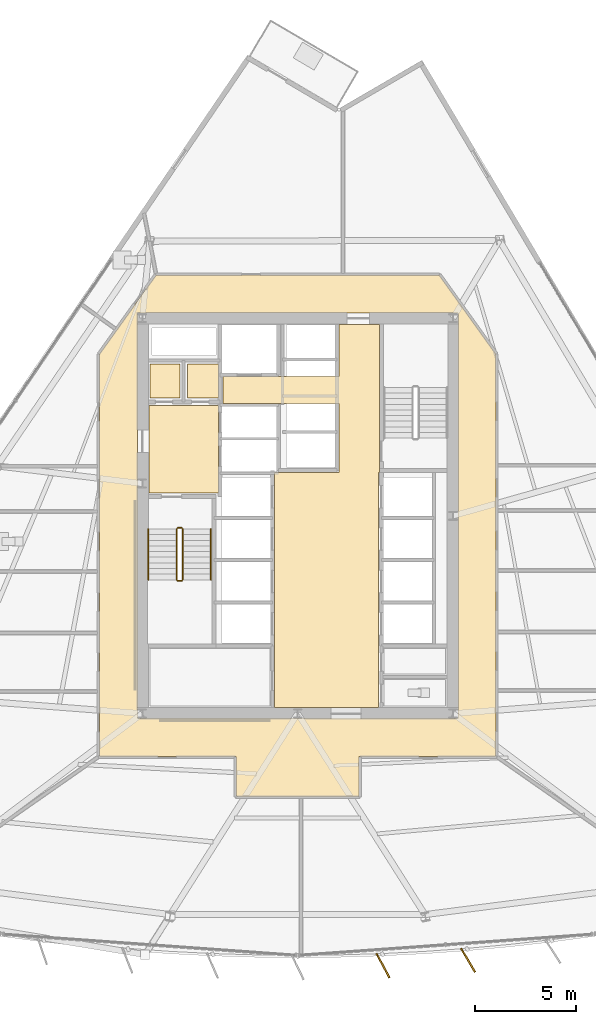
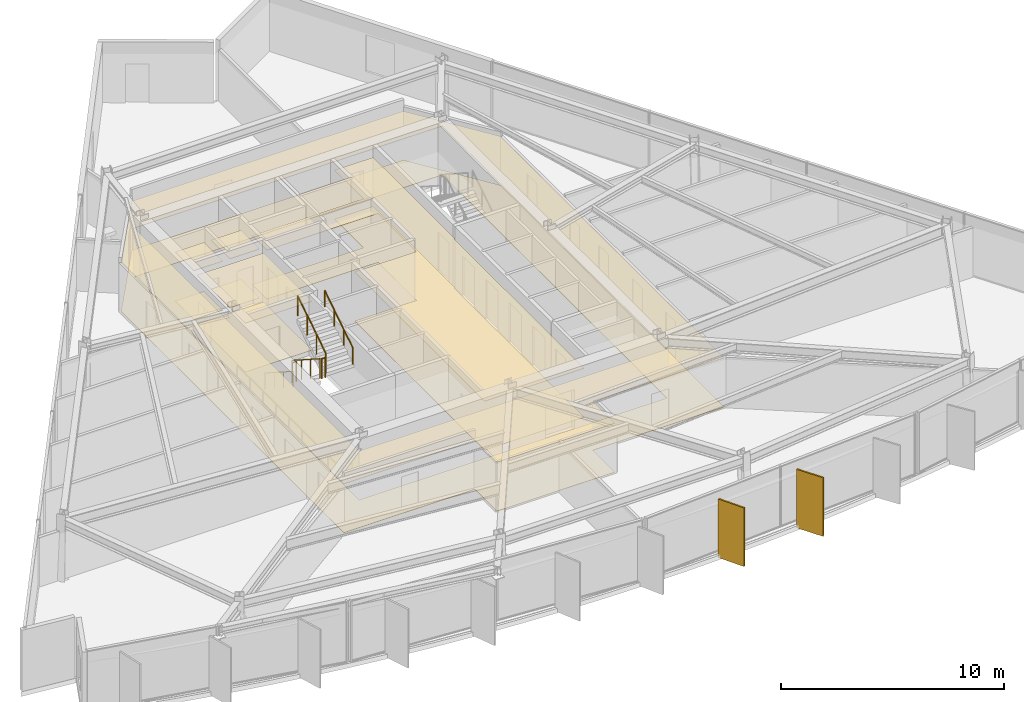
# One storey, part 12 of 15: 10 coverings, 6 railings, 2 shading devices.
"""IFC4 building model written with IfcOpenShell, lengths in metres."""

import ifcopenshell
import ifcopenshell.guid

model = None  # the IFC model being written
_history = None  # IfcOwnerHistory: only IFC2X3 demands one
_inside = {}  # id of a spatial element -> (the spatial element, [elements in it])
_under = {}  # id of a project, library or spatial element -> (it, [spatial elements below it])
_declared = {}  # id of a project -> (the project, [libraries it declares])
_typed = {}  # id of a type object -> (the type object, [elements of that type])
_made_of = {}  # id of a material, layer set ... -> (it, [elements and type objects made of it])


def new_model(schema):
    """Start an empty IFC model of exactly this schema.

    Asked for "IFC4X3", IfcOpenShell would pick the latest addendum, in which some entities
    have other attributes; the version numbers below select the first issue.
    IFC2X3 requires an IfcOwnerHistory on every rooted entity: one is made here for all.
    """
    global model, _history
    if schema == "IFC4X3":
        model = ifcopenshell.file(schema_version=(4, 3, 0, 0))
    else:
        model = ifcopenshell.file(schema=schema)
    _inside.clear()
    _under.clear()
    _declared.clear()
    _typed.clear()
    _made_of.clear()
    _history = None
    if model.schema == "IFC2X3":
        org = make("IfcOrganization", Name="unknown")
        user = make(
            "IfcPersonAndOrganization",
            ThePerson=make("IfcPerson", FamilyName="unknown"),
            TheOrganization=org,
        )
        app = make(
            "IfcApplication",
            ApplicationDeveloper=org,
            Version="unknown",
            ApplicationFullName="unknown",
            ApplicationIdentifier="unknown",
        )
        _history = make(
            "IfcOwnerHistory",
            OwningUser=user,
            OwningApplication=app,
            ChangeAction="ADDED",
            CreationDate=0,
        )
    return model


def make(cls, **values):
    """One entity of the class cls with the attributes given. An attribute that is None is left unset."""
    return model.create_entity(
        cls, **{name: value for name, value in values.items() if value is not None}
    )


def rooted(cls, **values):
    """An entity with a GlobalId (a new one), such as an element, a storey or a relation."""
    return make(cls, GlobalId=ifcopenshell.guid.new(), OwnerHistory=_history, **values)


def si_unit(unit_type, name, prefix=None):
    """IfcSIUnit, for example si_unit("LENGTHUNIT", "METRE", prefix="MILLI")."""
    return make("IfcSIUnit", UnitType=unit_type, Prefix=prefix, Name=name)


def assignment(units):
    """IfcUnitAssignment: the units of a project."""
    return None if units is None else make("IfcUnitAssignment", Units=units)


def point(xyz):
    """IfcCartesianPoint."""
    return None if xyz is None else make("IfcCartesianPoint", Coordinates=xyz)


def direction(xyz):
    """IfcDirection."""
    return None if xyz is None else make("IfcDirection", DirectionRatios=xyz)


def frame(location, z_axis=None, x_axis=None):
    """IfcAxis2Placement3D, a coordinate frame: its origin and axes. An axis left out is left unset."""
    return make(
        "IfcAxis2Placement3D",
        Location=point(location),
        Axis=direction(z_axis),
        RefDirection=direction(x_axis),
    )


def frame_2d(location, x_axis=None):
    """IfcAxis2Placement2D, a coordinate frame in the plane: its origin and x axis."""
    return make(
        "IfcAxis2Placement2D", Location=point(location), RefDirection=direction(x_axis)
    )


def origin():
    """The frame at (0, 0, 0) with its axes left unset."""
    return frame((0.0, 0.0, 0.0))


def origin_2d():
    """The frame at (0, 0) in the plane with its x axis left unset."""
    return frame_2d((0.0, 0.0))


def place(relative_to, where):
    """IfcLocalPlacement: puts the frame where relative to a parent placement (None: the world)."""
    return make(
        "IfcLocalPlacement", PlacementRelTo=relative_to, RelativePlacement=where
    )


def context(
    kind, dimensions, precision=None, world=None, true_north=None, identifier=None
):
    """IfcGeometricRepresentationContext, for example the 3D "Model" context."""
    return make(
        "IfcGeometricRepresentationContext",
        ContextIdentifier=identifier,
        ContextType=kind,
        CoordinateSpaceDimension=dimensions,
        Precision=precision,
        WorldCoordinateSystem=world,
        TrueNorth=true_north,
    )


def subcontext(parent, identifier, kind, view, scale=None):
    """IfcGeometricRepresentationSubContext, for example "Body" below "Model"."""
    return make(
        "IfcGeometricRepresentationSubContext",
        ContextIdentifier=identifier,
        ContextType=kind,
        ParentContext=parent,
        TargetScale=scale,
        TargetView=view,
    )


def project(units=None, contexts=None):
    """IfcProject with its units and contexts."""
    return rooted(
        "IfcProject",
        Name="project",
        RepresentationContexts=contexts,
        UnitsInContext=assignment(units),
    )


def spatial(cls, under=None, at=None, **own):
    """A site, building, storey or space (cls), placed at a placement, below another one or the project."""
    s = rooted(cls, ObjectPlacement=at, **own)
    if under is not None:
        _under.setdefault(under.id(), (under, []))[1].append(s)
    return s


def polyline(points):
    """IfcPolyline through the points."""
    return make("IfcPolyline", Points=[point(p) for p in points])


def profile(cls, at=None, kind="AREA", **sizes):
    """A parametric profile (cls). Its sizes go by their IFC names, for example OverallWidth=200.0."""
    return make(cls, ProfileType=kind, Position=at, **sizes)


def rectangle(**sizes):
    """IfcRectangleProfileDef."""
    return profile("IfcRectangleProfileDef", **sizes)


def circle(**sizes):
    """IfcCircleProfileDef."""
    return profile("IfcCircleProfileDef", **sizes)


def outline(outer, holes=None, kind="AREA"):
    """IfcArbitraryClosedProfileDef: a profile drawn as a closed curve; with holes, ...WithVoids."""
    if holes is None:
        return make("IfcArbitraryClosedProfileDef", ProfileType=kind, OuterCurve=outer)
    return make(
        "IfcArbitraryProfileDefWithVoids",
        ProfileType=kind,
        OuterCurve=outer,
        InnerCurves=holes,
    )


def extrude(swept, where, along, depth):
    """IfcExtrudedAreaSolid: the profile swept, set in the frame where, extruded along a direction by depth."""
    return make(
        "IfcExtrudedAreaSolid",
        SweptArea=swept,
        Position=where,
        ExtrudedDirection=direction(along),
        Depth=depth,
    )


def shape(context_of_items, identifier, shape_type, items):
    """IfcShapeRepresentation: the items that make up one representation, for example the "Body"."""
    return make(
        "IfcShapeRepresentation",
        ContextOfItems=context_of_items,
        RepresentationIdentifier=identifier,
        RepresentationType=shape_type,
        Items=items,
    )


def material(Name=None, Category=None):
    """IfcMaterial."""
    return make("IfcMaterial", Name=Name, Category=Category)


def layer(
    of_material, thickness, ventilated=None, Name=None, Category=None, Priority=None
):
    """IfcMaterialLayer: one layer of a wall or slab, of a material (None: an air gap)."""
    return make(
        "IfcMaterialLayer",
        Material=of_material,
        LayerThickness=thickness,
        IsVentilated=ventilated,
        Name=Name,
        Category=Category,
        Priority=Priority,
    )


def layer_set(layers, Name=None):
    """IfcMaterialLayerSet."""
    return make("IfcMaterialLayerSet", MaterialLayers=layers, LayerSetName=Name)


def made_of(thing, what):
    """Note that an element or type object is made of a material, layer set ...; save() writes the relation."""
    if what is not None:
        _made_of.setdefault(what.id(), (what, []))[1].append(thing)
    return thing


def type_object(cls, material=None, **own):
    """A type object (cls), such as IfcWallType, which elements share."""
    return made_of(rooted(cls, **own), material)


def element(
    cls,
    number,
    at=None,
    inside=None,
    cuts=None,
    type_object=None,
    material=None,
    context=None,
    identifier="Body",
    shape_type=None,
    held_by="IfcProductDefinitionShape",
    body=None,
    shapes=None,
    **own,
):
    """One element of the class cls, such as IfcWall. Its Tag is "e" and its number.

    at: its placement. inside: the storey or other place that contains it. cuts: it is an
    opening in that element (IfcRelVoidsElement). A single representation is given by context,
    identifier, shape_type and body (its items); several are given by shapes. held_by: the class
    of the entity that holds the representations. save() writes the other relations.
    """
    e = rooted(cls, Tag="e%d" % number, ObjectPlacement=at, **own)
    if body is not None:
        shapes = [shape(context, identifier, shape_type, body)]
    if shapes is not None:
        e.Representation = make(held_by, Representations=shapes)
    if inside is not None:
        _inside.setdefault(inside.id(), (inside, []))[1].append(e)
    if cuts is not None:
        rooted(
            "IfcRelVoidsElement", RelatingBuildingElement=cuts, RelatedOpeningElement=e
        )
    if type_object is not None:
        _typed.setdefault(type_object.id(), (type_object, []))[1].append(e)
    return made_of(e, material)


def aggregate(whole, parts):
    """IfcRelAggregates: a whole, such as a stair, and the parts it consists of."""
    return rooted("IfcRelAggregates", RelatingObject=whole, RelatedObjects=parts)


def save(model, path):
    """Write the relations noted so far, then the file.

    IfcRelAggregates (storeys below a building ...), IfcRelContainedInSpatialStructure (elements
    in a storey), IfcRelDefinesByType, IfcRelAssociatesMaterial and IfcRelDeclares: one each for
    every whole, place, type object, material and project.
    """
    for whole, parts in _under.values():
        aggregate(whole, parts)
    for where, things in _inside.values():
        rooted(
            "IfcRelContainedInSpatialStructure",
            RelatedElements=things,
            RelatingStructure=where,
        )
    for kind, things in _typed.values():
        rooted("IfcRelDefinesByType", RelatedObjects=things, RelatingType=kind)
    for what, things in _made_of.values():
        rooted("IfcRelAssociatesMaterial", RelatedObjects=things, RelatingMaterial=what)
    for by, libraries in _declared.values():
        rooted("IfcRelDeclares", RelatingContext=by, RelatedDefinitions=libraries)
    model.write(path)


model = new_model("IFC4")

# Units and contexts
model_context = context("Model", 3, precision=1e-05, world=origin(), true_north=direction((0.0, 1.0)))
body_context = subcontext(model_context, "Body", "Model", "MODEL_VIEW")
ifc_project = project(units=[si_unit("LENGTHUNIT", "METRE"), si_unit("AREAUNIT", "SQUARE_METRE"), si_unit("VOLUMEUNIT", "CUBIC_METRE"), si_unit("PLANEANGLEUNIT", "RADIAN"), si_unit("MASSUNIT", "GRAM", prefix="KILO")], contexts=[model_context])

# Site, building, storey
site_placement = place(None, origin())
site = spatial("IfcSite", under=ifc_project, at=site_placement, CompositionType="ELEMENT")
building_placement = place(site_placement, origin())
building = spatial("IfcBuilding", under=site, at=building_placement, Name="Savorim Split Tower", CompositionType="ELEMENT")
storey_placement = place(building_placement, frame((0.0, 0.0, 100.5)))
storey = spatial("IfcBuildingStorey", under=building, at=storey_placement, Name="L26", CompositionType="ELEMENT", Elevation=100.5)

# Coverings
ifc_material_1 = material(Name="Mineral Fibre Acoustic Ceiling")
ifc_layer_1 = layer(ifc_material_1, 0.02490234375)
ifc_layer_set_1 = layer_set([ifc_layer_1], Name="COV-CEIL-25")
covering_type_1 = type_object("IfcCoveringType", Name="COV-CEIL-25", PredefinedType="CEILING", material=ifc_layer_set_1)
covering_1_placement = place(storey_placement, frame((0.0, 0.0, 2.669921875)))
element("IfcCovering", 1, at=covering_1_placement, inside=storey, type_object=covering_type_1, Name="L26 Firefighting Lift Lobby Acoustic Ceiling", PredefinedType="CEILING", context=body_context, shape_type="SweptSolid", body=[
    extrude(outline(polyline([(-7.3798828125, 5.8701171875), (-7.3798828125, 1.530029296875), (-3.929931640625, 1.530029296875), (-3.929931640625, 5.8701171875), (-7.3798828125, 5.8701171875)])), origin(), (0.0, 0.0, 1.0), 0.025146484375),
])
covering_2_placement = place(storey_placement, frame((0.0, 0.0, 2.669921875)))
element("IfcCovering", 2, at=covering_2_placement, inside=storey, type_object=covering_type_1, Name="L26 Electrical Riser Acoustic Ceiling", PredefinedType="CEILING", context=body_context, shape_type="SweptSolid", body=[
    extrude(outline(polyline([(-7.320068359375, 7.919921875), (-7.320068359375, 6.22998046875), (-5.830078125, 6.22998046875), (-5.830078125, 7.919921875), (-7.320068359375, 7.919921875)])), origin(), (0.0, 0.0, 1.0), 0.025146484375),
])
covering_3_placement = place(storey_placement, frame((0.0, 0.0, 2.669921875)))
element("IfcCovering", 3, at=covering_3_placement, inside=storey, type_object=covering_type_1, Name="L26 Telecom Riser Acoustic Ceiling", PredefinedType="CEILING", context=body_context, shape_type="SweptSolid", body=[
    extrude(outline(polyline([(-5.469970703125, 7.919921875), (-5.469970703125, 6.22998046875), (-3.929931640625, 6.22998046875), (-3.929931640625, 7.919921875), (-5.469970703125, 7.919921875)])), origin(), (0.0, 0.0, 1.0), 0.025146484375),
])
covering_4_placement = place(storey_placement, frame((0.0, 0.0, 2.669921875)))
element("IfcCovering", 4, at=covering_4_placement, inside=storey, type_object=covering_type_1, Name="L26 Lift Lobby Acoustic Ceiling", PredefinedType="CEILING", context=body_context, shape_type="SweptSolid", body=[
    extrude(outline(polyline([(2.050048828125, 2.550048828125), (-1.14990234375, 2.550048828125), (-1.14990234375, -9.10009765625), (4.0, -9.10009765625), (4.0, 2.550048828125), (4.050048828125, 2.550048828125), (4.050048828125, 5.97998046875), (4.050048828125, 7.300048828125), (4.050048828125, 9.8798828125), (2.050048828125, 9.8798828125), (2.050048828125, 7.300048828125), (-3.699951171875, 7.300048828125), (-3.699951171875, 5.97998046875), (2.050048828125, 5.97998046875), (2.050048828125, 2.550048828125)])), origin(), (0.0, 0.0, 1.0), 0.025146484375),
])
covering_5_placement = place(storey_placement, frame((0.0, 0.0, 2.669921875)))
element("IfcCovering", 5, at=covering_5_placement, inside=storey, type_object=covering_type_1, Name="L26 Corridor Acoustic Ceiling", PredefinedType="CEILING", context=body_context, shape_type="SweptSolid", body=[
    extrude(outline(polyline([(7.009521484375, 12.3291015625), (7.004638671875, 12.329833984375), (7.0, 12.330078125), (-7.0, 12.330078125), (-7.004638671875, 12.329833984375), (-7.009521484375, 12.3291015625), (-7.013916015625, 12.327880859375), (-7.0185546875, 12.326416015625), (-7.022705078125, 12.324462890625), (-7.027099609375, 12.322021484375), (-7.03076171875, 12.3193359375), (-7.034423828125, 12.31640625), (-7.03759765625, 12.312744140625), (-7.04052734375, 12.30908203125), (-9.820556640625, 8.42919921875), (-9.823486328125, 8.4248046875), (-9.82568359375, 8.420166015625), (-9.82763671875, 8.415283203125), (-9.828857421875, 8.410400390625), (-9.82958984375, 8.4052734375), (-9.830078125, 8.39990234375), (-9.830078125, -11.47998046875), (-9.829833984375, -11.48486328125), (-9.8291015625, -11.48974609375), (-9.827880859375, -11.494384765625), (-9.826171875, -11.4990234375), (-9.82421875, -11.503662109375), (-9.821533203125, -11.5078125), (-9.818603515625, -11.51171875), (-9.8154296875, -11.515380859375), (-9.811767578125, -11.518798828125), (-9.807861328125, -11.521484375), (-9.8037109375, -11.524169921875), (-9.799072265625, -11.526123046875), (-9.79443359375, -11.52783203125), (-9.789794921875, -11.529052734375), (-9.784912109375, -11.52978515625), (-9.780029296875, -11.530029296875), (-3.050048828125, -11.530029296875), (-3.050048828125, -13.449951171875), (-3.0498046875, -13.454833984375), (-3.049072265625, -13.459716796875), (-3.0478515625, -13.464599609375), (-3.046142578125, -13.468994140625), (-3.044189453125, -13.4736328125), (-3.04150390625, -13.477783203125), (-3.038818359375, -13.481689453125), (-3.035400390625, -13.4853515625), (-3.03173828125, -13.48876953125), (-3.02783203125, -13.49169921875), (-3.023681640625, -13.494140625), (-3.01904296875, -13.49609375), (-3.014404296875, -13.497802734375), (-3.009765625, -13.4990234375), (-3.0048828125, -13.499755859375), (-3.0, -13.5), (3.0, -13.5), (3.0048828125, -13.499755859375), (3.009765625, -13.4990234375), (3.014404296875, -13.497802734375), (3.01904296875, -13.49609375), (3.023681640625, -13.494140625), (3.02783203125, -13.49169921875), (3.03173828125, -13.48876953125), (3.035400390625, -13.4853515625), (3.038818359375, -13.481689453125), (3.04150390625, -13.477783203125), (3.044189453125, -13.4736328125), (3.046142578125, -13.468994140625), (3.0478515625, -13.464599609375), (3.049072265625, -13.459716796875), (3.0498046875, -13.454833984375), (3.050048828125, -13.449951171875), (3.050048828125, -11.530029296875), (9.780029296875, -11.530029296875), (9.784912109375, -11.52978515625), (9.789794921875, -11.529052734375), (9.79443359375, -11.52783203125), (9.799072265625, -11.526123046875), (9.8037109375, -11.524169921875), (9.807861328125, -11.521484375), (9.811767578125, -11.518798828125), (9.8154296875, -11.515380859375), (9.818603515625, -11.51171875), (9.821533203125, -11.5078125), (9.82421875, -11.503662109375), (9.826171875, -11.4990234375), (9.827880859375, -11.494384765625), (9.8291015625, -11.48974609375), (9.829833984375, -11.48486328125), (9.830078125, -11.47998046875), (9.830078125, 8.39990234375), (9.82958984375, 8.4052734375), (9.828857421875, 8.410400390625), (9.82763671875, 8.415283203125), (9.82568359375, 8.420166015625), (9.823486328125, 8.4248046875), (9.820556640625, 8.42919921875), (7.04052734375, 12.30908203125), (7.03759765625, 12.312744140625), (7.034423828125, 12.31640625), (7.03076171875, 12.3193359375), (7.027099609375, 12.322021484375), (7.022705078125, 12.324462890625), (7.0185546875, 12.326416015625), (7.013916015625, 12.327880859375), (7.009521484375, 12.3291015625)]), holes=[polyline([(-7.949951171875, 10.449951171875), (-7.949951171875, -9.64990234375), (7.949951171875, -9.64990234375), (7.949951171875, 10.449951171875), (-7.949951171875, 10.449951171875)])]), origin(), (0.0, 0.0, 1.0), 0.025146484375),
])
ifc_material_2 = material(Name="Porcelain Stoneware Flooring", Category="masonry")
ifc_layer_2 = layer(ifc_material_2, 0.02001953125)
ifc_layer_set_2 = layer_set([ifc_layer_2], Name="COV-FLOR-20")
covering_type_2 = type_object("IfcCoveringType", Name="COV-FLOR-20", PredefinedType="FLOORING", material=ifc_layer_set_2)
covering_6_placement = place(storey_placement, origin())
element("IfcCovering", 6, at=covering_6_placement, inside=storey, type_object=covering_type_2, Name="L26 Firefighting Lift Lobby Porcelain Flooring", PredefinedType="FLOORING", context=body_context, shape_type="SweptSolid", body=[
    extrude(outline(polyline([(-7.3798828125, 5.8701171875), (-7.3798828125, 1.530029296875), (-3.929931640625, 1.530029296875), (-3.929931640625, 5.8701171875), (-7.3798828125, 5.8701171875)])), origin(), (0.0, 0.0, 1.0), 0.02001953125),
])
covering_7_placement = place(storey_placement, origin())
element("IfcCovering", 7, at=covering_7_placement, inside=storey, type_object=covering_type_2, Name="L26 Electrical Riser Porcelain Flooring", PredefinedType="FLOORING", context=body_context, shape_type="SweptSolid", body=[
    extrude(outline(polyline([(-7.320068359375, 7.919921875), (-7.320068359375, 6.22998046875), (-5.830078125, 6.22998046875), (-5.830078125, 7.919921875), (-7.320068359375, 7.919921875)])), origin(), (0.0, 0.0, 1.0), 0.02001953125),
])
covering_8_placement = place(storey_placement, origin())
element("IfcCovering", 8, at=covering_8_placement, inside=storey, type_object=covering_type_2, Name="L26 Telecom Riser Porcelain Flooring", PredefinedType="FLOORING", context=body_context, shape_type="SweptSolid", body=[
    extrude(outline(polyline([(-5.469970703125, 7.919921875), (-5.469970703125, 6.22998046875), (-3.929931640625, 6.22998046875), (-3.929931640625, 7.919921875), (-5.469970703125, 7.919921875)])), origin(), (0.0, 0.0, 1.0), 0.02001953125),
])
covering_9_placement = place(storey_placement, origin())
element("IfcCovering", 9, at=covering_9_placement, inside=storey, type_object=covering_type_2, Name="L26 Lift Lobby Porcelain Flooring", PredefinedType="FLOORING", context=body_context, shape_type="SweptSolid", body=[
    extrude(outline(polyline([(2.050048828125, 2.550048828125), (-1.14990234375, 2.550048828125), (-1.14990234375, -9.10009765625), (4.0, -9.10009765625), (4.0, 2.550048828125), (4.050048828125, 2.550048828125), (4.050048828125, 5.97998046875), (4.050048828125, 7.300048828125), (4.050048828125, 9.8798828125), (2.050048828125, 9.8798828125), (2.050048828125, 7.300048828125), (-3.699951171875, 7.300048828125), (-3.699951171875, 5.97998046875), (2.050048828125, 5.97998046875), (2.050048828125, 2.550048828125)])), origin(), (0.0, 0.0, 1.0), 0.02001953125),
])
covering_10_placement = place(storey_placement, origin())
element("IfcCovering", 10, at=covering_10_placement, inside=storey, type_object=covering_type_2, Name="L26 Corridor Porcelain Flooring", PredefinedType="FLOORING", context=body_context, shape_type="SweptSolid", body=[
    extrude(outline(polyline([(7.009521484375, 12.3291015625), (7.004638671875, 12.329833984375), (7.0, 12.330078125), (-7.0, 12.330078125), (-7.004638671875, 12.329833984375), (-7.009521484375, 12.3291015625), (-7.013916015625, 12.327880859375), (-7.0185546875, 12.326416015625), (-7.022705078125, 12.324462890625), (-7.027099609375, 12.322021484375), (-7.03076171875, 12.3193359375), (-7.034423828125, 12.31640625), (-7.03759765625, 12.312744140625), (-7.04052734375, 12.30908203125), (-9.820556640625, 8.42919921875), (-9.823486328125, 8.4248046875), (-9.82568359375, 8.420166015625), (-9.82763671875, 8.415283203125), (-9.828857421875, 8.410400390625), (-9.82958984375, 8.4052734375), (-9.830078125, 8.39990234375), (-9.830078125, -11.47998046875), (-9.829833984375, -11.48486328125), (-9.8291015625, -11.48974609375), (-9.827880859375, -11.494384765625), (-9.826171875, -11.4990234375), (-9.82421875, -11.503662109375), (-9.821533203125, -11.5078125), (-9.818603515625, -11.51171875), (-9.8154296875, -11.515380859375), (-9.811767578125, -11.518798828125), (-9.807861328125, -11.521484375), (-9.8037109375, -11.524169921875), (-9.799072265625, -11.526123046875), (-9.79443359375, -11.52783203125), (-9.789794921875, -11.529052734375), (-9.784912109375, -11.52978515625), (-9.780029296875, -11.530029296875), (-3.050048828125, -11.530029296875), (-3.050048828125, -13.449951171875), (-3.0498046875, -13.454833984375), (-3.049072265625, -13.459716796875), (-3.0478515625, -13.464599609375), (-3.046142578125, -13.468994140625), (-3.044189453125, -13.4736328125), (-3.04150390625, -13.477783203125), (-3.038818359375, -13.481689453125), (-3.035400390625, -13.4853515625), (-3.03173828125, -13.48876953125), (-3.02783203125, -13.49169921875), (-3.023681640625, -13.494140625), (-3.01904296875, -13.49609375), (-3.014404296875, -13.497802734375), (-3.009765625, -13.4990234375), (-3.0048828125, -13.499755859375), (-3.0, -13.5), (3.0, -13.5), (3.0048828125, -13.499755859375), (3.009765625, -13.4990234375), (3.014404296875, -13.497802734375), (3.01904296875, -13.49609375), (3.023681640625, -13.494140625), (3.02783203125, -13.49169921875), (3.03173828125, -13.48876953125), (3.035400390625, -13.4853515625), (3.038818359375, -13.481689453125), (3.04150390625, -13.477783203125), (3.044189453125, -13.4736328125), (3.046142578125, -13.468994140625), (3.0478515625, -13.464599609375), (3.049072265625, -13.459716796875), (3.0498046875, -13.454833984375), (3.050048828125, -13.449951171875), (3.050048828125, -11.530029296875), (9.780029296875, -11.530029296875), (9.784912109375, -11.52978515625), (9.789794921875, -11.529052734375), (9.79443359375, -11.52783203125), (9.799072265625, -11.526123046875), (9.8037109375, -11.524169921875), (9.807861328125, -11.521484375), (9.811767578125, -11.518798828125), (9.8154296875, -11.515380859375), (9.818603515625, -11.51171875), (9.821533203125, -11.5078125), (9.82421875, -11.503662109375), (9.826171875, -11.4990234375), (9.827880859375, -11.494384765625), (9.8291015625, -11.48974609375), (9.829833984375, -11.48486328125), (9.830078125, -11.47998046875), (9.830078125, 8.39990234375), (9.82958984375, 8.4052734375), (9.828857421875, 8.410400390625), (9.82763671875, 8.415283203125), (9.82568359375, 8.420166015625), (9.823486328125, 8.4248046875), (9.820556640625, 8.42919921875), (7.04052734375, 12.30908203125), (7.03759765625, 12.312744140625), (7.034423828125, 12.31640625), (7.03076171875, 12.3193359375), (7.027099609375, 12.322021484375), (7.022705078125, 12.324462890625), (7.0185546875, 12.326416015625), (7.013916015625, 12.327880859375), (7.009521484375, 12.3291015625)]), holes=[polyline([(-7.949951171875, 10.449951171875), (-7.949951171875, -9.64990234375), (7.949951171875, -9.64990234375), (7.949951171875, 10.449951171875), (-7.949951171875, 10.449951171875)])]), origin(), (0.0, 0.0, 1.0), 0.02001953125),
])

# Railings
ifc_material_3 = material(Name="Galvanised Painted Steel Balustrade", Category="steel")
railing_type_1 = type_object("IfcRailingType", Name="RLG-HR-900", PredefinedType="HANDRAIL", material=ifc_material_3)
railing_1_placement = place(storey_placement, frame((-7.39990234375, -0.25, 0.179931640625)))
element("IfcRailing", 11, at=railing_1_placement, inside=storey, type_object=railing_type_1, Name="L26 ST-1 stair handrail 1", PredefinedType="HANDRAIL", context=body_context, shape_type="SweptSolid", body=[
    extrude(circle(Radius=0.02392578125, at=origin_2d()), frame((0.0, 0.0, 0.8759765625), z_axis=(0.0, -0.841162588446, 0.540782303519), x_axis=(1.0, 0.0, 0.0)), (0.0, 0.0, 1.0), 2.995849609375),
    extrude(circle(Radius=0.02099609375, at=origin_2d()), origin(), (0.0, 0.0, 1.0), 0.851806640625),
    extrude(circle(Radius=0.02099609375, at=origin_2d()), frame((0.0, -0.840087890625, 0.5400390625)), (0.0, 0.0, 1.0), 0.851806640625),
    extrude(circle(Radius=0.02099609375, at=origin_2d()), frame((0.0, -1.679931640625, 1.080078125)), (0.0, 0.0, 1.0), 0.851806640625),
    extrude(circle(Radius=0.02099609375, at=origin_2d()), frame((0.0, -2.52001953125, 1.6201171875)), (0.0, 0.0, 1.0), 0.851806640625),
])
railing_2_placement = place(storey_placement, frame((-4.300048828125, -2.77001953125, 1.97998046875)))
element("IfcRailing", 12, at=railing_2_placement, inside=storey, type_object=railing_type_1, Name="L26 ST-1 stair handrail 2", PredefinedType="HANDRAIL", context=body_context, shape_type="SweptSolid", body=[
    extrude(circle(Radius=0.02392578125, at=origin_2d()), frame((0.0, 0.0, 0.8759765625), z_axis=(0.0, 0.841162588446, 0.540782303519), x_axis=(-1.0, 0.0, 0.0)), (0.0, 0.0, 1.0), 2.995849609375),
    extrude(circle(Radius=0.02099609375, at=origin_2d()), origin(), (0.0, 0.0, 1.0), 0.851806640625),
    extrude(circle(Radius=0.02099609375, at=origin_2d()), frame((0.0, 0.840087890625, 0.5400390625)), (0.0, 0.0, 1.0), 0.851806640625),
    extrude(circle(Radius=0.02099609375, at=origin_2d()), frame((0.0, 1.679931640625, 1.080078125)), (0.0, 0.0, 1.0), 0.851806640625),
    extrude(circle(Radius=0.02099609375, at=origin_2d()), frame((0.0, 2.52001953125, 1.6201171875)), (0.0, 0.0, 1.0), 0.851806640625),
])
railing_type_2 = type_object("IfcRailingType", Name="RLG-STG-1100", PredefinedType="BALUSTRADE", material=ifc_material_3)
railing_3_placement = place(storey_placement, frame((-6.0, -0.25, 0.179931640625)))
element("IfcRailing", 13, at=railing_3_placement, inside=storey, type_object=railing_type_2, Name="L26 ST-1 stair guard 1", PredefinedType="BALUSTRADE", context=body_context, shape_type="SweptSolid", body=[
    extrude(circle(Radius=0.02392578125, at=origin_2d()), frame((0.0, 0.0, 1.076171875), z_axis=(0.0, -0.841162588446, 0.540782303519), x_axis=(1.0, 0.0, 0.0)), (0.0, 0.0, 1.0), 2.995849609375),
    extrude(circle(Radius=0.02099609375, at=origin_2d()), origin(), (0.0, 0.0, 1.0), 1.052001953125),
    extrude(circle(Radius=0.02099609375, at=origin_2d()), frame((0.0, -0.840087890625, 0.5400390625)), (0.0, 0.0, 1.0), 1.052001953125),
    extrude(circle(Radius=0.02099609375, at=origin_2d()), frame((0.0, -1.679931640625, 1.080078125)), (0.0, 0.0, 1.0), 1.052001953125),
    extrude(circle(Radius=0.02099609375, at=origin_2d()), frame((0.0, -2.52001953125, 1.6201171875)), (0.0, 0.0, 1.0), 1.052001953125),
])
railing_4_placement = place(storey_placement, frame((-5.949951171875, -2.820068359375, 1.800048828125)))
element("IfcRailing", 14, at=railing_4_placement, inside=storey, type_object=railing_type_2, Name="L26 ST-1 stair guard 2", PredefinedType="BALUSTRADE", context=body_context, shape_type="SweptSolid", body=[
    extrude(circle(Radius=0.02392578125, at=origin_2d()), frame((0.0, 0.0, 1.076171875), z_axis=(1.0, 0.0, 0.0), x_axis=(0.0, 1.0, 0.0)), (0.0, 0.0, 1.0), 0.199951171875),
    extrude(circle(Radius=0.02099609375, at=origin_2d()), origin(), (0.0, 0.0, 1.0), 1.052001953125),
    extrude(circle(Radius=0.02099609375, at=origin_2d()), frame((0.199951171875, 0.0, 0.0)), (0.0, 0.0, 1.0), 1.052001953125),
])
railing_5_placement = place(storey_placement, frame((-5.699951171875, -2.77001953125, 1.97998046875)))
element("IfcRailing", 15, at=railing_5_placement, inside=storey, type_object=railing_type_2, Name="L26 ST-1 stair guard 3", PredefinedType="BALUSTRADE", context=body_context, shape_type="SweptSolid", body=[
    extrude(circle(Radius=0.02392578125, at=origin_2d()), frame((0.0, 0.0, 1.076171875), z_axis=(0.0, 0.841162588446, 0.540782303519), x_axis=(-1.0, 0.0, 0.0)), (0.0, 0.0, 1.0), 2.995849609375),
    extrude(circle(Radius=0.02099609375, at=origin_2d()), origin(), (0.0, 0.0, 1.0), 1.052001953125),
    extrude(circle(Radius=0.02099609375, at=origin_2d()), frame((0.0, 0.840087890625, 0.5400390625)), (0.0, 0.0, 1.0), 1.052001953125),
    extrude(circle(Radius=0.02099609375, at=origin_2d()), frame((0.0, 1.679931640625, 1.080078125)), (0.0, 0.0, 1.0), 1.052001953125),
    extrude(circle(Radius=0.02099609375, at=origin_2d()), frame((0.0, 2.52001953125, 1.6201171875)), (0.0, 0.0, 1.0), 1.052001953125),
])
railing_6_placement = place(storey_placement, frame((-5.949951171875, -0.199951171875, 0.0)))
element("IfcRailing", 16, at=railing_6_placement, inside=storey, type_object=railing_type_2, Name="L26 ST-1 stair guard 4", PredefinedType="BALUSTRADE", context=body_context, shape_type="SweptSolid", body=[
    extrude(circle(Radius=0.02392578125, at=origin_2d()), frame((0.0, 0.0, 1.076171875), z_axis=(1.0, 0.0, 0.0), x_axis=(0.0, 1.0, 0.0)), (0.0, 0.0, 1.0), 0.199951171875),
    extrude(circle(Radius=0.02099609375, at=origin_2d()), origin(), (0.0, 0.0, 1.0), 1.052001953125),
    extrude(circle(Radius=0.02099609375, at=origin_2d()), frame((0.199951171875, 0.0, 0.0)), (0.0, 0.0, 1.0), 1.052001953125),
])

# Shading devices
ifc_material_4 = material(Name="Terracotta Ceramic-Coated Aluminium Fin", Category="masonry")
shading_device_type = type_object("IfcShadingDeviceType", Name="SHD-FIN-1360", PredefinedType="USERDEFINED", material=ifc_material_4)
for number, where, z_axis, x_axis, name in (
    (17, (4.227294921875, -21.890380859375, -0.2001953125), (0.0, 0.0, 1.0), (0.474778051978, -0.880105562623, 0.0), "L26 Sawtooth Shading Fin 08"),
    (18, (8.447509765625, -21.630859375, -0.2001953125), (0.0, 0.0, 1.0), (0.510391336723, -0.859942255851, 0.0), "L26 Sawtooth Shading Fin 09"),
):
    element("IfcShadingDevice", number, at=place(storey_placement, frame(where, z_axis=z_axis, x_axis=x_axis)), inside=storey, type_object=shading_device_type, Name=name, ObjectType="FIN", PredefinedType="USERDEFINED", context=body_context, shape_type="SweptSolid", body=[
        extrude(rectangle(XDim=1.360107421875, YDim=0.080078125, at=origin_2d()), origin(), (0.0, 0.0, 1.0), 3.199951171875),
    ])

save(model, "model.ifc")
